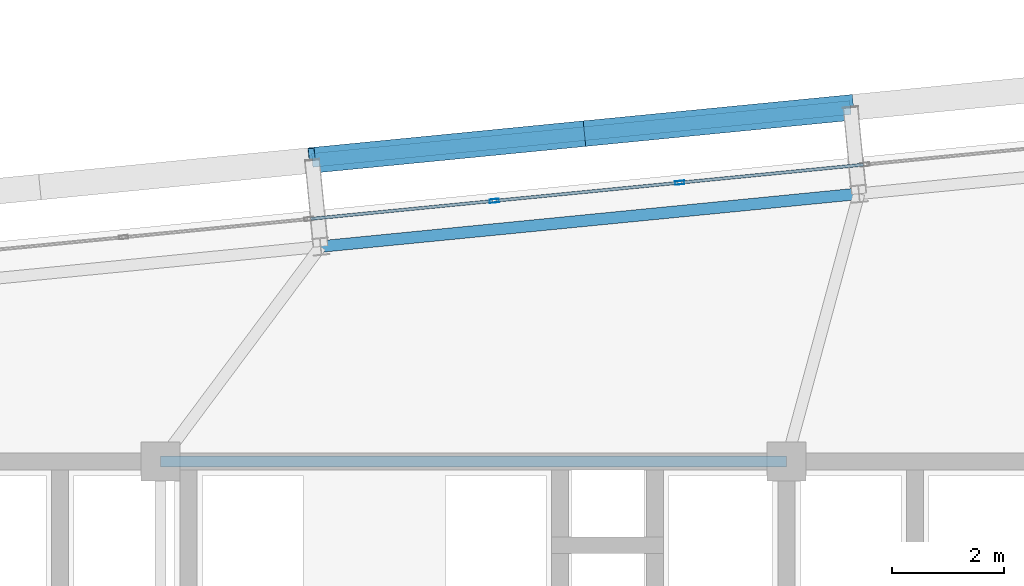
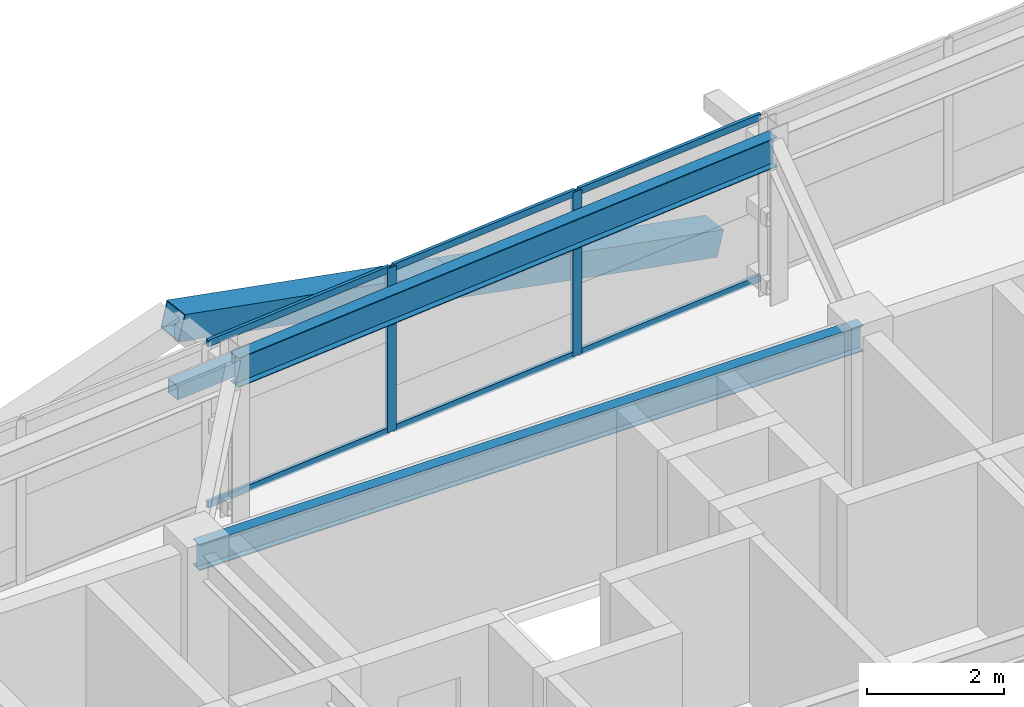
# One storey, part 30 of 52: 11 members, 2 beams, 1 element without a shape of its own.
"""IFC4 building model written with IfcOpenShell, lengths in metres."""

from ifc_helpers import new_model, si_unit, direction, frame, origin, origin_2d, place, context, subcontext, project, spatial, hollow_rectangle, i_section, extrude, source, transform, mapped, material, layer, layer_set, material_profile, profile_set, type_object, element, aggregate, save


model = new_model("IFC4")

# Units and contexts
model_context = context("Model", 3, precision=1e-05, world=origin(), true_north=direction((0.0, 1.0)))
body_context = subcontext(model_context, "Body", "Model", "MODEL_VIEW")
ifc_project = project(units=[si_unit("LENGTHUNIT", "METRE"), si_unit("AREAUNIT", "SQUARE_METRE"), si_unit("VOLUMEUNIT", "CUBIC_METRE"), si_unit("PLANEANGLEUNIT", "RADIAN"), si_unit("MASSUNIT", "GRAM", prefix="KILO")], contexts=[model_context])

# Site, building, storey
site_placement = place(None, origin())
site = spatial("IfcSite", under=ifc_project, at=site_placement, CompositionType="ELEMENT")
building_placement = place(site_placement, origin())
building = spatial("IfcBuilding", under=site, at=building_placement, Name="Taldren Reach Tower", CompositionType="ELEMENT")
storey_placement = place(building_placement, frame((0.0, 0.0, 96.60009765625)))
storey = spatial("IfcBuildingStorey", under=building, at=storey_placement, Name="L29", CompositionType="ELEMENT", Elevation=96.60009765625)

# Beams
ifc_material_1 = material(Name="Steel Gr 350 (350PLUS)", Category="steel")
ifc_material_profile_1 = material_profile(ifc_material_1, i_section(OverallWidth=0.19091796875, OverallDepth=0.4599609375, WebThickness=0.010009765625, FlangeThickness=0.01611328125, at=origin_2d()), Name="460UB82.1")
ifc_profile_set_1 = profile_set([ifc_material_profile_1], Name="Steel Gr 350 (350PLUS)")
beam_type_1 = type_object("IfcBeamType", Name="BM-UB460A", PredefinedType="BEAM", material=ifc_profile_set_1)
shared_shape_1 = source(origin(), body_context, "Body", "SweptSolid", [
    extrude(i_section(OverallWidth=0.19091796875, OverallDepth=0.4599609375, WebThickness=0.010009765625, FlangeThickness=0.01611328125, at=origin_2d()), origin(), (0.0, 0.0, 1.0), 11.199951171875),
])
beam_1_placement = place(storey_placement, frame((28.0, 32.0, 2.699951171875), z_axis=(1.0, 0.0, 0.0), x_axis=(0.0, 1.0, 0.0)))
element("IfcBeam", 1, at=beam_1_placement, inside=storey, type_object=beam_type_1, Name="Core-spine girder L29-SP05", PredefinedType="BEAM", context=body_context, shape_type="MappedRepresentation", body=[
    mapped(shared_shape_1, transform((0.0, 0.0, 0.0), scale=1.0)),
])
ifc_material_profile_2 = material_profile(ifc_material_1, i_section(OverallWidth=0.208984375, OverallDepth=0.528076171875, WebThickness=0.009521484375, FlangeThickness=0.01318359375, at=origin_2d()), Name="530UB82.0")
ifc_profile_set_2 = profile_set([ifc_material_profile_2], Name="Steel Gr 350 (350PLUS)")
beam_type_2 = type_object("IfcBeamType", Name="SP-UB530B", PredefinedType="SPANDREL", material=ifc_profile_set_2)
shared_shape_2 = source(origin(), body_context, "Body", "SweptSolid", [
    extrude(i_section(OverallWidth=0.208984375, OverallDepth=0.528076171875, WebThickness=0.009521484375, FlangeThickness=0.01318359375, at=origin_2d()), origin(), (0.0, 0.0, 1.0), 9.679931640625),
])
beam_2_placement = place(storey_placement, frame((40.498291015625, 36.790771484375, 2.666015625), z_axis=(-0.995227612658, -0.097580730699, 0.0), x_axis=(0.097580730699, -0.995227612658, 0.0)))
element("IfcBeam", 2, at=beam_2_placement, inside=storey, type_object=beam_type_2, Name="Perimeter spandrel B2 N4-N3 L29", PredefinedType="SPANDREL", context=body_context, shape_type="MappedRepresentation", body=[
    mapped(shared_shape_2, transform((0.0, 0.0, 0.0), scale=1.0)),
])

# Members
ifc_material_2 = material(Name="Steel Gr 450 (C450L0)", Category="steel")
ifc_material_profile_3 = material_profile(ifc_material_2, hollow_rectangle(XDim=0.4599609375, YDim=0.4599609375, WallThickness=0.01611328125, at=origin_2d()), Name="460x460x16.0SHS")
ifc_profile_set_3 = profile_set([ifc_material_profile_3], Name="Steel Gr 450 (C450L0)")
member_type_1 = type_object("IfcMemberType", Name="MB-EXO457", PredefinedType="BRACE", material=ifc_profile_set_3)
shared_shape_3 = source(origin(), body_context, "Body", "SweptSolid", [
    extrude(hollow_rectangle(XDim=0.4599609375, YDim=0.4599609375, WallThickness=0.01611328125, at=origin_2d()), origin(), (0.0, 0.0, 1.0), 4.990234375),
])
for number, where, z_axis, x_axis, name in (
    (3, (40.346923828125, 38.333251953125, 0.219970703125), (-0.965287024526, -0.094620633828, 0.24344998652), (0.097555749586, -0.995230061706, 0.0), "Exoskeleton Diagrid Brace B2-N3 L29"),
    (4, (35.530029296875, 37.861083984375, 1.434814453125), (-0.965271056716, -0.094667992638, 0.243494883389), (0.097605711627, -0.995225162995, 0.0), "Exoskeleton Diagrid Brace B2-N3 L29"),
):
    element("IfcMember", number, at=place(storey_placement, frame(where, z_axis=z_axis, x_axis=x_axis)), inside=storey, type_object=member_type_1, Name=name, PredefinedType="BRACE", context=body_context, shape_type="MappedRepresentation", body=[
        mapped(shared_shape_3, transform((0.0, 0.0, 0.0), scale=1.0)),
    ])
ifc_material_3 = material(Name="Steel Gr 350 (C350L0)", Category="steel")
ifc_material_profile_4 = material_profile(ifc_material_3, hollow_rectangle(XDim=0.25, YDim=0.25, WallThickness=0.010009765625, at=origin_2d()), Name="250x250x10.0SHS")
ifc_profile_set_4 = profile_set([ifc_material_profile_4], Name="Steel Gr 350 (C350L0)")
member_type_2 = type_object("IfcMemberType", Name="MB-POST250", PredefinedType="POST", material=ifc_profile_set_4)
shared_shape_4 = source(origin(), body_context, "Body", "SweptSolid", [
    extrude(hollow_rectangle(XDim=0.25, YDim=0.25, WallThickness=0.010009765625, at=origin_2d()), origin(), (0.0, 0.0, 1.0), 9.679931640625),
])
member_1_placement = place(storey_placement, frame((30.713134765625, 37.388671875, 1.434814453125), z_axis=(0.995227612658, 0.097580730699, 0.0), x_axis=(-0.097580730699, 0.995227612658, 0.0)))
element("IfcMember", 5, at=member_1_placement, inside=storey, type_object=member_type_2, Name="Exoskeleton mid-height ring chord B2-N3 L29", PredefinedType="POST", context=body_context, shape_type="MappedRepresentation", body=[
    mapped(shared_shape_4, transform((0.0, 0.0, 0.0), scale=1.0)),
])

# Curtain wall, members
ifc_material_4 = material(Name="Aluminium and Low-E Glass Unitised System", Category="aluminium")
ifc_layer = layer(ifc_material_4, 0.159912109375)
ifc_layer_set = layer_set([ifc_layer], Name="Aluminium and Low-E Glass Unitised System")
curtain_wall_type = type_object("IfcCurtainWallType", Name="CW-SYS-3", PredefinedType="NOTDEFINED", material=ifc_layer_set)
curtain_wall_placement = place(storey_placement, origin())
curtain_wall = element("IfcCurtainWall", 6, at=curtain_wall_placement, inside=storey, type_object=curtain_wall_type, Name="Unitised curtain wall CW-L29-N", PredefinedType="NOTDEFINED")
ifc_material_5 = material(Name="Anodised Aluminium 6063-T6", Category="aluminium")
ifc_material_profile_5 = material_profile(ifc_material_5, hollow_rectangle(XDim=0.06494140625, YDim=0.1650390625, WallThickness=0.00390625, at=origin_2d()), Name="ALU-165x65x4RHS")
ifc_profile_set_5 = profile_set([ifc_material_profile_5], Name="Anodised Aluminium 6063-T6")
member_type_3 = type_object("IfcMemberType", Name="CW-MUL-165", PredefinedType="MULLION", material=ifc_profile_set_5)
shared_shape_5 = source(origin(), body_context, "Body", "SweptSolid", [
    extrude(hollow_rectangle(XDim=0.06494140625, YDim=0.1650390625, WallThickness=0.00390625, at=origin_2d()), origin(), (0.0, 0.0, 1.0), 2.929931640625),
])
member_2_placement = place(storey_placement, frame((37.290283203125, 36.988525390625, 0.0), z_axis=(0.0, 0.0, 1.0), x_axis=(0.097582999046, -0.995227390247, 0.0)))
member_2 = element("IfcMember", 7, at=member_2_placement, type_object=member_type_3, Name="CW-3 mullion 8", PredefinedType="MULLION", context=body_context, shape_type="MappedRepresentation", body=[
    mapped(shared_shape_5, transform((0.0, 0.0, 0.0), scale=1.0)),
])
member_3_placement = place(storey_placement, frame((33.972900390625, 36.663330078125, 0.0), z_axis=(0.0, 0.0, 1.0), x_axis=(0.097582999046, -0.995227390247, 0.0)))
member_3 = element("IfcMember", 8, at=member_3_placement, type_object=member_type_3, Name="CW-3 mullion 9", PredefinedType="MULLION", context=body_context, shape_type="MappedRepresentation", body=[
    mapped(shared_shape_5, transform((0.0, 0.0, 0.0), scale=1.0)),
])
ifc_material_profile_6 = material_profile(ifc_material_5, hollow_rectangle(XDim=0.054931640625, YDim=0.1201171875, WallThickness=0.0029296875, at=origin_2d()), Name="ALU-120x55x3RHS")
ifc_profile_set_6 = profile_set([ifc_material_profile_6], Name="Anodised Aluminium 6063-T6")
member_type_4 = type_object("IfcMemberType", Name="CW-TRN-135", PredefinedType="USERDEFINED", material=ifc_profile_set_6)
shared_shape_6 = source(origin(), body_context, "Body", "SweptSolid", [
    extrude(hollow_rectangle(XDim=0.054931640625, YDim=0.1201171875, WallThickness=0.0029296875, at=origin_2d()), origin(), (0.0, 0.0, 1.0), 3.268310546875),
])
member_4_placement = place(storey_placement, frame((37.2578125, 36.9853515625, 0.02734375), z_axis=(-0.99522980512, -0.097558367146, 0.0), x_axis=(0.097558367146, -0.99522980512, 0.0)))
member_4 = element("IfcMember", 9, at=member_4_placement, type_object=member_type_4, Name="CW-3 transom 8.1", ObjectType="TRANSOM", PredefinedType="USERDEFINED", context=body_context, shape_type="MappedRepresentation", body=[
    mapped(shared_shape_6, transform((0.0, 0.0, 0.0), scale=1.0)),
])
member_5_placement = place(storey_placement, frame((37.2578125, 36.9853515625, 2.90234375), z_axis=(-0.99522980512, -0.097558367146, 0.0), x_axis=(0.097558367146, -0.99522980512, 0.0)))
member_5 = element("IfcMember", 10, at=member_5_placement, type_object=member_type_4, Name="CW-3 transom 8.2", ObjectType="TRANSOM", PredefinedType="USERDEFINED", context=body_context, shape_type="MappedRepresentation", body=[
    mapped(shared_shape_6, transform((0.0, 0.0, 0.0), scale=1.0)),
])
member_6_placement = place(storey_placement, frame((33.9404296875, 36.66015625, 0.02734375), z_axis=(-0.99522980512, -0.097558367146, 0.0), x_axis=(0.097558367146, -0.99522980512, 0.0)))
member_6 = element("IfcMember", 11, at=member_6_placement, type_object=member_type_4, Name="CW-3 transom 9.1", ObjectType="TRANSOM", PredefinedType="USERDEFINED", context=body_context, shape_type="MappedRepresentation", body=[
    mapped(shared_shape_6, transform((0.0, 0.0, 0.0), scale=1.0)),
])
member_7_placement = place(storey_placement, frame((33.9404296875, 36.66015625, 2.90234375), z_axis=(-0.99522980512, -0.097558367146, 0.0), x_axis=(0.097558367146, -0.99522980512, 0.0)))
member_7 = element("IfcMember", 12, at=member_7_placement, type_object=member_type_4, Name="CW-3 transom 9.2", ObjectType="TRANSOM", PredefinedType="USERDEFINED", context=body_context, shape_type="MappedRepresentation", body=[
    mapped(shared_shape_6, transform((0.0, 0.0, 0.0), scale=1.0)),
])
shared_shape_7 = source(origin(), body_context, "Body", "SweptSolid", [
    extrude(hollow_rectangle(XDim=0.054931640625, YDim=0.1201171875, WallThickness=0.0029296875, at=origin_2d()), origin(), (0.0, 0.0, 1.0), 3.2685546875),
])
member_8_placement = place(storey_placement, frame((40.575439453125, 37.310791015625, 0.02734375), z_axis=(-0.995223261527, -0.09762509778, 0.0), x_axis=(0.09762509778, -0.995223261527, 0.0)))
member_8 = element("IfcMember", 13, at=member_8_placement, type_object=member_type_4, Name="CW-3 transom 7.1", ObjectType="TRANSOM", PredefinedType="USERDEFINED", context=body_context, shape_type="MappedRepresentation", body=[
    mapped(shared_shape_7, transform((0.0, 0.0, 0.0), scale=1.0)),
])
member_9_placement = place(storey_placement, frame((40.575439453125, 37.310791015625, 2.90234375), z_axis=(-0.995223261527, -0.09762509778, 0.0), x_axis=(0.09762509778, -0.995223261527, 0.0)))
member_9 = element("IfcMember", 14, at=member_9_placement, type_object=member_type_4, Name="CW-3 transom 7.2", ObjectType="TRANSOM", PredefinedType="USERDEFINED", context=body_context, shape_type="MappedRepresentation", body=[
    mapped(shared_shape_7, transform((0.0, 0.0, 0.0), scale=1.0)),
])
aggregate(curtain_wall, [member_2, member_3, member_8, member_9, member_4, member_5, member_6, member_7])

save(model, "model.ifc")
